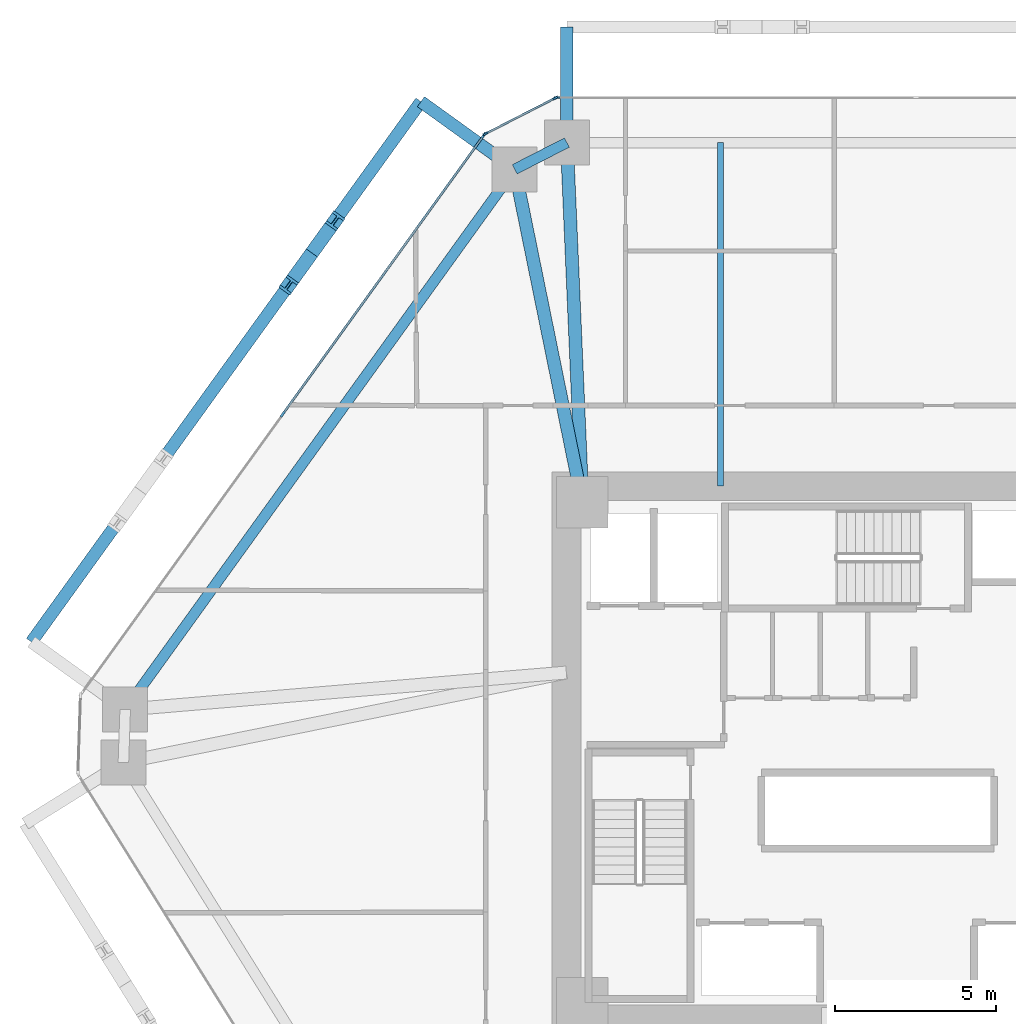
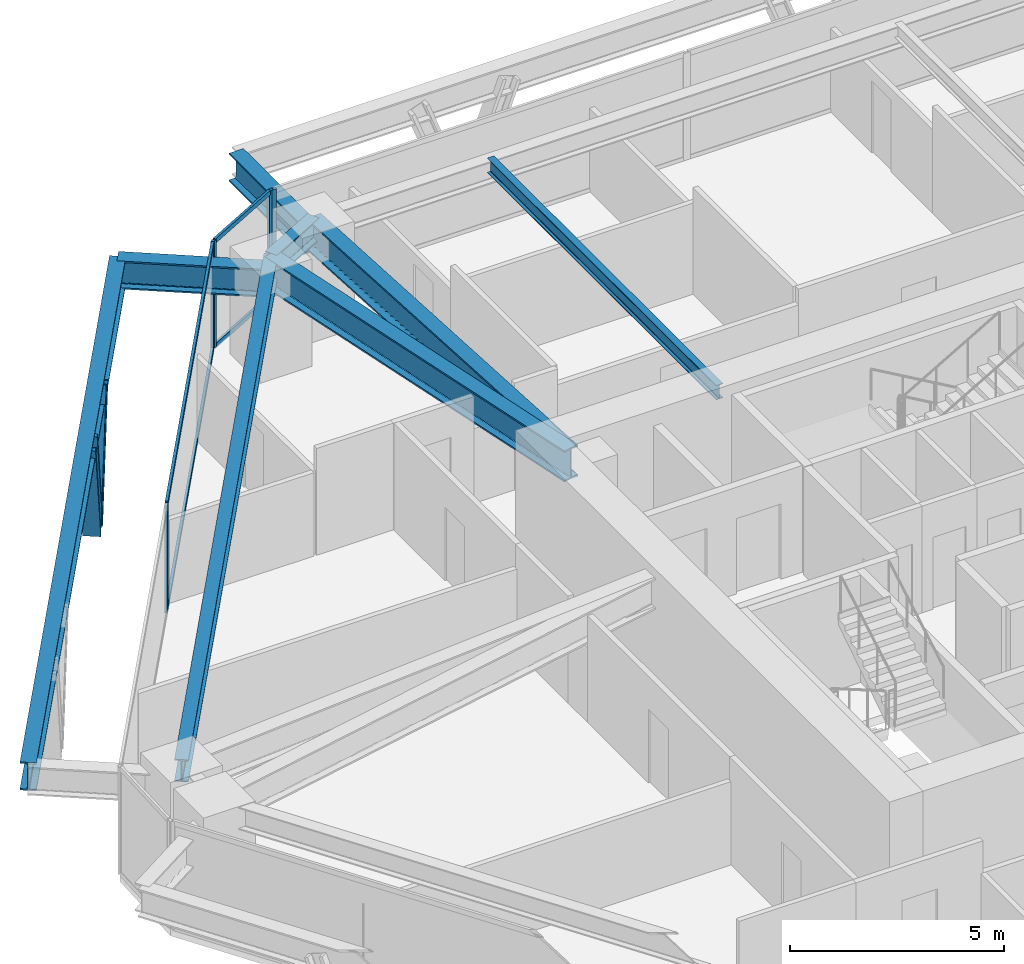
# One storey, part 7 of 15: 11 members, 8 beams, 3 elements without a shape of their own.
"""IFC4 building model written with IfcOpenShell, lengths in metres."""

from ifc_helpers import new_model, si_unit, direction, frame, origin, origin_2d, place, context, subcontext, project, spatial, rectangle, i_section, extrude, source, transform, mapped, material, layer, layer_set, material_profile, profile_set, type_object, type_shapes, element, aggregate, save


model = new_model("IFC4")

# Units and contexts
model_context = context("Model", 3, precision=1e-05, world=origin(), true_north=direction((0.0, 1.0)))
body_context = subcontext(model_context, "Body", "Model", "MODEL_VIEW")
ifc_project = project(units=[si_unit("LENGTHUNIT", "METRE"), si_unit("AREAUNIT", "SQUARE_METRE"), si_unit("VOLUMEUNIT", "CUBIC_METRE"), si_unit("PLANEANGLEUNIT", "RADIAN"), si_unit("MASSUNIT", "GRAM", prefix="KILO")], contexts=[model_context])

# Site, building, storey
site_placement = place(None, origin())
site = spatial("IfcSite", under=ifc_project, at=site_placement, CompositionType="ELEMENT")
building_placement = place(site_placement, origin())
building = spatial("IfcBuilding", under=site, at=building_placement, Name="Durnholm Broadcast Tower", CompositionType="ELEMENT")
storey_placement = place(building_placement, frame((0.0, 0.0, 42.300048828125)))
storey = spatial("IfcBuildingStorey", under=building, at=storey_placement, Name="L09", CompositionType="ELEMENT", Elevation=42.300048828125)

# Beams
ifc_material_1 = material(Name="Steel ASTM A992 Grade 50", Category="steel")
ifc_material_profile_1 = material_profile(ifc_material_1, i_section(OverallWidth=0.3291015625, OverallDepth=0.635009765625, WebThickness=0.017822265625, FlangeThickness=0.031005859375, FilletRadius=0.02783203125, at=origin_2d()), Name="W24X162")
ifc_profile_set_1 = profile_set([ifc_material_profile_1], Name="Steel ASTM A992 Grade 50")
beam_type_1 = type_object("IfcBeamType", Name="STL-SP-W24X162", PredefinedType="SPANDREL", material=ifc_profile_set_1)
shared_shape_1 = source(origin(), body_context, "Body", "SweptSolid", [
    extrude(i_section(OverallWidth=0.3291015625, OverallDepth=0.635009765625, WebThickness=0.017822265625, FlangeThickness=0.031005859375, FilletRadius=0.02783203125, at=origin_2d()), origin(), (0.0, 0.0, 1.0), 20.737060546875),
])
beam_1_placement = place(storey_placement, frame((-24.034912109375, 1.347412109375, 2.7275390625), z_axis=(0.584821933191, 0.811161701795, 0.0), x_axis=(-0.811161701795, 0.584821933191, 0.0)))
element("IfcBeam", 1, at=beam_1_placement, inside=storey, type_object=beam_type_1, Name="L09 perimeter spandrel girder 03", PredefinedType="SPANDREL", context=body_context, shape_type="MappedRepresentation", body=[
    mapped(shared_shape_1, transform((0.0, 0.0, 0.0), x_axis=(1.0, 0.0, 0.0), y_axis=(0.0, 1.0, 0.0), z_axis=(0.0, 0.0, 1.0), scale=1.0)),
])
shared_shape_2 = source(origin(), body_context, "Body", "SweptSolid", [
    extrude(i_section(OverallWidth=0.3291015625, OverallDepth=0.635009765625, WebThickness=0.017822265625, FlangeThickness=0.031005859375, FilletRadius=0.02783203125, at=origin_2d()), origin(), (0.0, 0.0, 1.0), 1.8251953125),
])
type_shapes(beam_type_1, [shared_shape_1, shared_shape_2])
beam_2_placement = place(storey_placement, frame((-11.907470703125, 18.16845703125, 2.7275390625), z_axis=(0.890187609501, 0.455594139438, 0.0), x_axis=(-0.455594139438, 0.890187609501, 0.0)))
element("IfcBeam", 2, at=beam_2_placement, inside=storey, type_object=beam_type_1, Name="L09 perimeter spandrel girder 04", PredefinedType="SPANDREL", context=body_context, shape_type="MappedRepresentation", body=[
    mapped(shared_shape_2, transform((0.0, 0.0, 0.0), x_axis=(1.0, 0.0, 0.0), y_axis=(0.0, 1.0, 0.0), z_axis=(0.0, 0.0, 1.0), scale=1.0)),
])
ifc_material_profile_2 = material_profile(ifc_material_1, i_section(OverallWidth=0.404052734375, OverallDepth=0.885009765625, WebThickness=0.0244140625, FlangeThickness=0.0439453125, FilletRadius=0.03564453125, at=origin_2d()), Name="W33X291")
ifc_profile_set_2 = profile_set([ifc_material_profile_2], Name="Steel ASTM A992 Grade 50")
beam_type_2 = type_object("IfcBeamType", Name="STL-GR-W33X291", PredefinedType="USERDEFINED", material=ifc_profile_set_2)
shared_shape_3 = source(origin(), body_context, "Body", "SweptSolid", [
    extrude(i_section(OverallWidth=0.404052734375, OverallDepth=0.885009765625, WebThickness=0.0244140625, FlangeThickness=0.0439453125, FilletRadius=0.03564453125, at=origin_2d()), origin(), (0.0, 0.0, 1.0), 10.580322265625),
])
beam_3_placement = place(storey_placement, frame((-9.800048828125, 7.800048828125, 2.6025390625), z_axis=(-0.199181458925, 0.979962625012, 0.0), x_axis=(-0.979962625012, -0.199181458925, 0.0)))
element("IfcBeam", 3, at=beam_3_placement, inside=storey, type_object=beam_type_2, Name="L09 radial primary floor girder 04", ObjectType="GIRDER", PredefinedType="USERDEFINED", context=body_context, shape_type="MappedRepresentation", body=[
    mapped(shared_shape_3, transform((0.0, 0.0, 0.0), x_axis=(1.0, 0.0, 0.0), y_axis=(0.0, 1.0, 0.0), z_axis=(0.0, 0.0, 1.0), scale=1.0)),
])
shared_shape_4 = source(origin(), body_context, "Body", "SweptSolid", [
    extrude(i_section(OverallWidth=0.404052734375, OverallDepth=0.885009765625, WebThickness=0.0244140625, FlangeThickness=0.0439453125, FilletRadius=0.03564453125, at=origin_2d()), origin(), (0.0, 0.0, 1.0), 11.21044921875),
])
type_shapes(beam_type_2, [shared_shape_3, shared_shape_4])
beam_4_placement = place(storey_placement, frame((-9.800048828125, 7.800048828125, 2.6025390625), z_axis=(-0.043055404914, 0.999072686098, 0.0), x_axis=(-0.999072686098, -0.043055404914, 0.0)))
element("IfcBeam", 4, at=beam_4_placement, inside=storey, type_object=beam_type_2, Name="L09 radial primary floor girder 05", ObjectType="GIRDER", PredefinedType="USERDEFINED", context=body_context, shape_type="MappedRepresentation", body=[
    mapped(shared_shape_4, transform((0.0, 0.0, 0.0), x_axis=(1.0, 0.0, 0.0), y_axis=(0.0, 1.0, 0.0), z_axis=(0.0, 0.0, 1.0), scale=1.0)),
])
ifc_material_profile_3 = material_profile(ifc_material_1, i_section(OverallWidth=0.180908203125, OverallDepth=0.417236328125, WebThickness=0.010986328125, FlangeThickness=0.018310546875, FilletRadius=0.01904296875, at=origin_2d()), Name="W16X57")
ifc_profile_set_3 = profile_set([ifc_material_profile_3], Name="Steel ASTM A992 Grade 50")
beam_type_3 = type_object("IfcBeamType", Name="STL-BJ-W16X57", PredefinedType="JOIST", material=ifc_profile_set_3)
shared_shape_5 = source(origin(), body_context, "Body", "SweptSolid", [
    extrude(i_section(OverallWidth=0.180908203125, OverallDepth=0.417236328125, WebThickness=0.010986328125, FlangeThickness=0.018310546875, FilletRadius=0.01904296875, at=origin_2d()), origin(), (0.0, 0.0, 1.0), 10.699951171875),
])
type_shapes(beam_type_3, [shared_shape_5])
beam_5_placement = place(storey_placement, frame((-5.5, 8.300048828125, 2.83642578125), z_axis=(0.0, 1.0, 0.0), x_axis=(-1.0, 0.0, 0.0)))
element("IfcBeam", 5, at=beam_5_placement, inside=storey, type_object=beam_type_3, Name="L09 secondary floor joist 3.2", PredefinedType="JOIST", context=body_context, shape_type="MappedRepresentation", body=[
    mapped(shared_shape_5, transform((0.0, 0.0, 0.0), x_axis=(1.0, 0.0, 0.0), y_axis=(0.0, 1.0, 0.0), z_axis=(0.0, 0.0, 1.0), scale=1.0)),
])
ifc_material_profile_4 = material_profile(ifc_material_1, i_section(OverallWidth=0.385009765625, OverallDepth=0.802978515625, WebThickness=0.023681640625, FlangeThickness=0.0419921875, FilletRadius=0.032958984375, at=origin_2d()), Name="W30X261")
ifc_profile_set_4 = profile_set([ifc_material_profile_4], Name="Steel ASTM A992 Grade 50")
beam_type_4 = type_object("IfcBeamType", Name="BM-EXO-TIE", PredefinedType="USERDEFINED", material=ifc_profile_set_4)
shared_shape_6 = source(origin(), body_context, "Body", "SweptSolid", [
    extrude(i_section(OverallWidth=0.385009765625, OverallDepth=0.802978515625, WebThickness=0.023681640625, FlangeThickness=0.0419921875, FilletRadius=0.032958984375, at=origin_2d()), origin(), (0.0, 0.0, 1.0), 3.4560546875),
])
for number, where, z_axis, x_axis, name in (
    (6, (-10.28271484375, 19.14404296875, 2.30859375), (0.0, 1.0, 0.0), (-1.0, 0.0, 0.0), "L09 exoskeleton stand-off tie bracket F4.2"),
    (7, (-12.024169921875, 18.252685546875, 2.30859375), (-0.811157675106, 0.584827518262, 0.0), (-0.584827518262, -0.811157675106, 0.0), "L09 exoskeleton stand-off tie bracket F5.1"),
):
    element("IfcBeam", number, at=place(storey_placement, frame(where, z_axis=z_axis, x_axis=x_axis)), inside=storey, type_object=beam_type_4, Name=name, ObjectType="GIRDER", PredefinedType="USERDEFINED", context=body_context, shape_type="MappedRepresentation", body=[
        mapped(shared_shape_6, transform((0.0, 0.0, 0.0), x_axis=(1.0, 0.0, 0.0), y_axis=(0.0, 1.0, 0.0), z_axis=(0.0, 0.0, 1.0), scale=1.0)),
    ])
shared_shape_7 = source(origin(), body_context, "Body", "SweptSolid", [
    extrude(i_section(OverallWidth=0.385009765625, OverallDepth=0.802978515625, WebThickness=0.023681640625, FlangeThickness=0.0419921875, FilletRadius=0.032958984375, at=origin_2d()), origin(), (0.0, 0.0, 1.0), 20.737060546875),
])
type_shapes(beam_type_4, [shared_shape_6, shared_shape_7])
beam_6_placement = place(storey_placement, frame((-14.82763671875, 20.27392578125, 2.30859375), z_axis=(-0.5848163482, -0.811165728368, 0.0), x_axis=(0.811165728368, -0.5848163482, 0.0)))
element("IfcBeam", 8, at=beam_6_placement, inside=storey, type_object=beam_type_4, Name="L09 exoskeleton collector spandrel F5", PredefinedType="SPANDREL", context=body_context, shape_type="MappedRepresentation", body=[
    mapped(shared_shape_7, transform((0.0, 0.0, 0.0), x_axis=(1.0, 0.0, 0.0), y_axis=(0.0, 1.0, 0.0), z_axis=(0.0, 0.0, 1.0), scale=1.0)),
])

# Members
ifc_material_2 = material(Name="Steel ASTM A913 Grade 65", Category="steel")
ifc_material_profile_5 = material_profile(ifc_material_2, i_section(OverallWidth=0.43212890625, OverallDepth=0.497802734375, WebThickness=0.0556640625, FlangeThickness=0.0888671875, FilletRadius=0.030517578125, at=origin_2d()), Name="W14X500")
ifc_profile_set_5 = profile_set([ifc_material_profile_5], Name="Steel ASTM A913 Grade 65")
member_type_1 = type_object("IfcMemberType", Name="STL-DG-W14X500", PredefinedType="BRACE", material=ifc_profile_set_5)
shared_shape_8 = source(origin(), body_context, "Body", "SweptSolid", [
    extrude(i_section(OverallWidth=0.43212890625, OverallDepth=0.497802734375, WebThickness=0.0556640625, FlangeThickness=0.0888671875, FilletRadius=0.030517578125, at=origin_2d()), origin(), (0.0, 0.0, 1.0), 3.523193359375),
])
type_shapes(member_type_1, [shared_shape_8])
for number, where, z_axis, x_axis, name in (
    (9, (-18.223388671875, 15.56396484375, -0.991455078125), (0.204839138341, 0.284044529113, 0.93667477434), (-0.81109123444, 0.58491966065, 0.0), "L09 stand-off diagrid brace F5.D1.1"),
    (10, (-18.223388671875, 15.56396484375, -0.991455078125), (-0.20477274847, -0.284048560399, 0.936688068046), (0.811185111535, -0.584789461963, 0.0), "L09 stand-off diagrid brace F5.D1.2"),
):
    element("IfcMember", number, at=place(storey_placement, frame(where, z_axis=z_axis, x_axis=x_axis)), inside=storey, type_object=member_type_1, Name=name, PredefinedType="BRACE", context=body_context, shape_type="MappedRepresentation", body=[
        mapped(shared_shape_8, transform((0.0, 0.0, 0.0), x_axis=(1.0, 0.0, 0.0), y_axis=(0.0, 1.0, 0.0), z_axis=(0.0, 0.0, 1.0), scale=1.0)),
    ])

# Curtain wall, members
ifc_material_3 = material(Name="Aluminium and Solar Control IGU", Category="aluminium")
ifc_layer_1 = layer(ifc_material_3, 0.1650390625)
ifc_layer_set_1 = layer_set([ifc_layer_1], Name="Aluminium and Solar Control IGU")
curtain_wall_type_1 = type_object("IfcCurtainWallType", Name="CW-SYS-5", PredefinedType="NOTDEFINED", material=ifc_layer_set_1)
curtain_wall_1_placement = place(storey_placement, origin())
curtain_wall_1 = element("IfcCurtainWall", 11, at=curtain_wall_1_placement, inside=storey, type_object=curtain_wall_type_1, Name="L09 curtain wall CW-CORNER CW-L09-CRN-03", PredefinedType="NOTDEFINED")
ifc_material_4 = material(Name="Aluminium 6063-T6", Category="aluminium")
ifc_material_profile_6 = material_profile(ifc_material_4, rectangle(XDim=0.06494140625, YDim=0.1650390625, at=origin_2d()), Name="CWM65X165")
ifc_profile_set_6 = profile_set([ifc_material_profile_6], Name="Aluminium 6063-T6")
member_type_2 = type_object("IfcMemberType", Name="CW-SYS-5-MUL", PredefinedType="MULLION", material=ifc_profile_set_6)
shared_shape_9 = source(origin(), body_context, "Body", "SweptSolid", [
    extrude(rectangle(XDim=0.06494140625, YDim=0.1650390625, at=origin_2d()), origin(), (0.0, 0.0, 1.0), 3.06005859375),
])
type_shapes(member_type_2, [shared_shape_9])
member_1_placement = place(storey_placement, frame((-12.816650390625, 19.27587890625, 0.0), z_axis=(0.0, 0.0, 1.0), x_axis=(-0.455593758406, 0.890187804512, 0.0)))
member_1 = element("IfcMember", 12, at=member_1_placement, type_object=member_type_2, Name="CW-CORNER mullion 1", PredefinedType="MULLION", context=body_context, shape_type="MappedRepresentation", body=[
    mapped(shared_shape_9, transform((0.0, 0.0, 0.0), x_axis=(1.0, 0.0, 0.0), y_axis=(0.0, 1.0, 0.0), z_axis=(0.0, 0.0, 1.0), scale=1.0)),
])
member_2_placement = place(storey_placement, frame((-10.649169921875, 20.38525390625, 0.0), z_axis=(0.0, 0.0, 1.0), x_axis=(-0.455593758406, 0.890187804512, 0.0)))
member_2 = element("IfcMember", 13, at=member_2_placement, type_object=member_type_2, Name="CW-CORNER mullion 2", PredefinedType="MULLION", context=body_context, shape_type="MappedRepresentation", body=[
    mapped(shared_shape_9, transform((0.0, 0.0, 0.0), x_axis=(1.0, 0.0, 0.0), y_axis=(0.0, 1.0, 0.0), z_axis=(0.0, 0.0, 1.0), scale=1.0)),
])
ifc_material_profile_7 = material_profile(ifc_material_4, rectangle(XDim=0.06494140625, YDim=0.1298828125, at=origin_2d()), Name="CWT65X130")
ifc_profile_set_7 = profile_set([ifc_material_profile_7], Name="Aluminium 6063-T6")
member_type_3 = type_object("IfcMemberType", Name="CW-SYS-5-TRN", PredefinedType="USERDEFINED", material=ifc_profile_set_7)
shared_shape_10 = source(origin(), body_context, "Body", "SweptSolid", [
    extrude(rectangle(XDim=0.06494140625, YDim=0.1298828125, at=origin_2d()), origin(), (0.0, 0.0, 1.0), 2.3701171875),
])
type_shapes(member_type_3, [shared_shape_10])
member_3_placement = place(storey_placement, frame((-12.787841796875, 19.29052734375, 0.032470703125), z_axis=(0.890185016934, 0.455599205033, 0.0), x_axis=(-0.455599205033, 0.890185016934, 0.0)))
member_3 = element("IfcMember", 14, at=member_3_placement, type_object=member_type_3, Name="CW-CORNER transom 1.1", ObjectType="TRANSOM", PredefinedType="USERDEFINED", context=body_context, shape_type="MappedRepresentation", body=[
    mapped(shared_shape_10, transform((0.0, 0.0, 0.0), x_axis=(1.0, 0.0, 0.0), y_axis=(0.0, 1.0, 0.0), z_axis=(0.0, 0.0, 1.0), scale=1.0)),
])
member_4_placement = place(storey_placement, frame((-12.787841796875, 19.29052734375, 3.02734375), z_axis=(0.890185016934, 0.455599205033, 0.0), x_axis=(-0.455599205033, 0.890185016934, 0.0)))
member_4 = element("IfcMember", 15, at=member_4_placement, type_object=member_type_3, Name="CW-CORNER transom 1.2", ObjectType="TRANSOM", PredefinedType="USERDEFINED", context=body_context, shape_type="MappedRepresentation", body=[
    mapped(shared_shape_10, transform((0.0, 0.0, 0.0), x_axis=(1.0, 0.0, 0.0), y_axis=(0.0, 1.0, 0.0), z_axis=(0.0, 0.0, 1.0), scale=1.0)),
])
aggregate(curtain_wall_1, [member_1, member_2, member_3, member_4])

ifc_layer_2 = layer(ifc_material_3, 0.18994140625)
ifc_layer_set_2 = layer_set([ifc_layer_2], Name="Aluminium and Solar Control IGU")
curtain_wall_type_2 = type_object("IfcCurtainWallType", Name="CW-SYS-3", PredefinedType="NOTDEFINED", material=ifc_layer_set_2)
curtain_wall_2_placement = place(storey_placement, origin())
curtain_wall_2 = element("IfcCurtainWall", 16, at=curtain_wall_2_placement, inside=storey, type_object=curtain_wall_type_2, Name="L09 curtain wall CW-Z12-VIS CW-L09-F02", PredefinedType="NOTDEFINED")
ifc_material_profile_8 = material_profile(ifc_material_4, rectangle(XDim=0.070068359375, YDim=0.18994140625, at=origin_2d()), Name="CWM70X190")
ifc_profile_set_8 = profile_set([ifc_material_profile_8], Name="Aluminium 6063-T6")
member_type_4 = type_object("IfcMemberType", Name="CW-SYS-3-MUL", PredefinedType="MULLION", material=ifc_profile_set_8)
shared_shape_11 = source(origin(), body_context, "Body", "SweptSolid", [
    extrude(rectangle(XDim=0.070068359375, YDim=0.18994140625, at=origin_2d()), origin(), (0.0, 0.0, 1.0), 3.06005859375),
])
type_shapes(member_type_4, [shared_shape_11])
member_5_placement = place(storey_placement, frame((-19.1328125, 10.540771484375, 0.0), z_axis=(0.0, 0.0, 1.0), x_axis=(-0.81116057493, 0.584823496176, 0.0)))
member_5 = element("IfcMember", 17, at=member_5_placement, type_object=member_type_4, Name="CW-Z12-VIS mullion 2", PredefinedType="MULLION", context=body_context, shape_type="MappedRepresentation", body=[
    mapped(shared_shape_11, transform((0.0, 0.0, 0.0), x_axis=(1.0, 0.0, 0.0), y_axis=(0.0, 1.0, 0.0), z_axis=(0.0, 0.0, 1.0), scale=1.0)),
])
member_6_placement = place(storey_placement, frame((-12.8662109375, 19.232666015625, 0.0), z_axis=(0.0, 0.0, 1.0), x_axis=(-0.81116057493, 0.584823496176, 0.0)))
member_6 = element("IfcMember", 18, at=member_6_placement, type_object=member_type_4, Name="CW-Z12-VIS mullion 3", PredefinedType="MULLION", context=body_context, shape_type="MappedRepresentation", body=[
    mapped(shared_shape_11, transform((0.0, 0.0, 0.0), x_axis=(1.0, 0.0, 0.0), y_axis=(0.0, 1.0, 0.0), z_axis=(0.0, 0.0, 1.0), scale=1.0)),
])

# Curtain wall, member
curtain_wall_3_placement = place(storey_placement, origin())
curtain_wall_3 = element("IfcCurtainWall", 19, at=curtain_wall_3_placement, inside=storey, type_object=curtain_wall_type_2, Name="L09 curtain wall CW-Z12-VIS CW-L09-F04", PredefinedType="NOTDEFINED")
member_7_placement = place(storey_placement, frame((-10.585205078125, 20.39990234375, 0.0), z_axis=(0.0, 0.0, 1.0), x_axis=(0.0, 1.0, 0.0)))
member_7 = element("IfcMember", 20, at=member_7_placement, type_object=member_type_4, Name="CW-Z12-VIS mullion 1", PredefinedType="MULLION", context=body_context, shape_type="MappedRepresentation", body=[
    mapped(shared_shape_11, transform((0.0, 0.0, 0.0), x_axis=(1.0, 0.0, 0.0), y_axis=(0.0, 1.0, 0.0), z_axis=(0.0, 0.0, 1.0), scale=1.0)),
])
aggregate(curtain_wall_3, [member_7])

# Member
ifc_material_profile_9 = material_profile(ifc_material_4, rectangle(XDim=0.070068359375, YDim=0.14990234375, at=origin_2d()), Name="CWT70X150")
ifc_profile_set_9 = profile_set([ifc_material_profile_9], Name="Aluminium 6063-T6")
member_type_5 = type_object("IfcMemberType", Name="CW-SYS-3-TRN", PredefinedType="USERDEFINED", material=ifc_profile_set_9)
shared_shape_12 = source(origin(), body_context, "Body", "SweptSolid", [
    extrude(rectangle(XDim=0.070068359375, YDim=0.14990234375, at=origin_2d()), origin(), (0.0, 0.0, 1.0), 10.645263671875),
])
type_shapes(member_type_5, [shared_shape_12])
member_8_placement = place(storey_placement, frame((-19.1123046875, 10.569091796875, 0.034912109375), z_axis=(0.584822983179, 0.811160944786, 0.0), x_axis=(-0.811160944786, 0.584822983179, 0.0)))
member_8 = element("IfcMember", 21, at=member_8_placement, type_object=member_type_5, Name="CW-Z12-VIS transom 2.1", ObjectType="TRANSOM", PredefinedType="USERDEFINED", context=body_context, shape_type="MappedRepresentation", body=[
    mapped(shared_shape_12, transform((0.0, 0.0, 0.0), x_axis=(1.0, 0.0, 0.0), y_axis=(0.0, 1.0, 0.0), z_axis=(0.0, 0.0, 1.0), scale=1.0)),
])

member_9_placement = place(storey_placement, frame((-19.1123046875, 10.569091796875, 3.02490234375), z_axis=(0.584822983179, 0.811160944786, 0.0), x_axis=(-0.811160944786, 0.584822983179, 0.0)))
member_9 = element("IfcMember", 22, at=member_9_placement, type_object=member_type_5, Name="CW-Z12-VIS transom 2.2", ObjectType="TRANSOM", PredefinedType="USERDEFINED", context=body_context, shape_type="MappedRepresentation", body=[
    mapped(shared_shape_12, transform((0.0, 0.0, 0.0), x_axis=(1.0, 0.0, 0.0), y_axis=(0.0, 1.0, 0.0), z_axis=(0.0, 0.0, 1.0), scale=1.0)),
])

aggregate(curtain_wall_2, [member_5, member_6, member_8, member_9])

save(model, "model.ifc")
